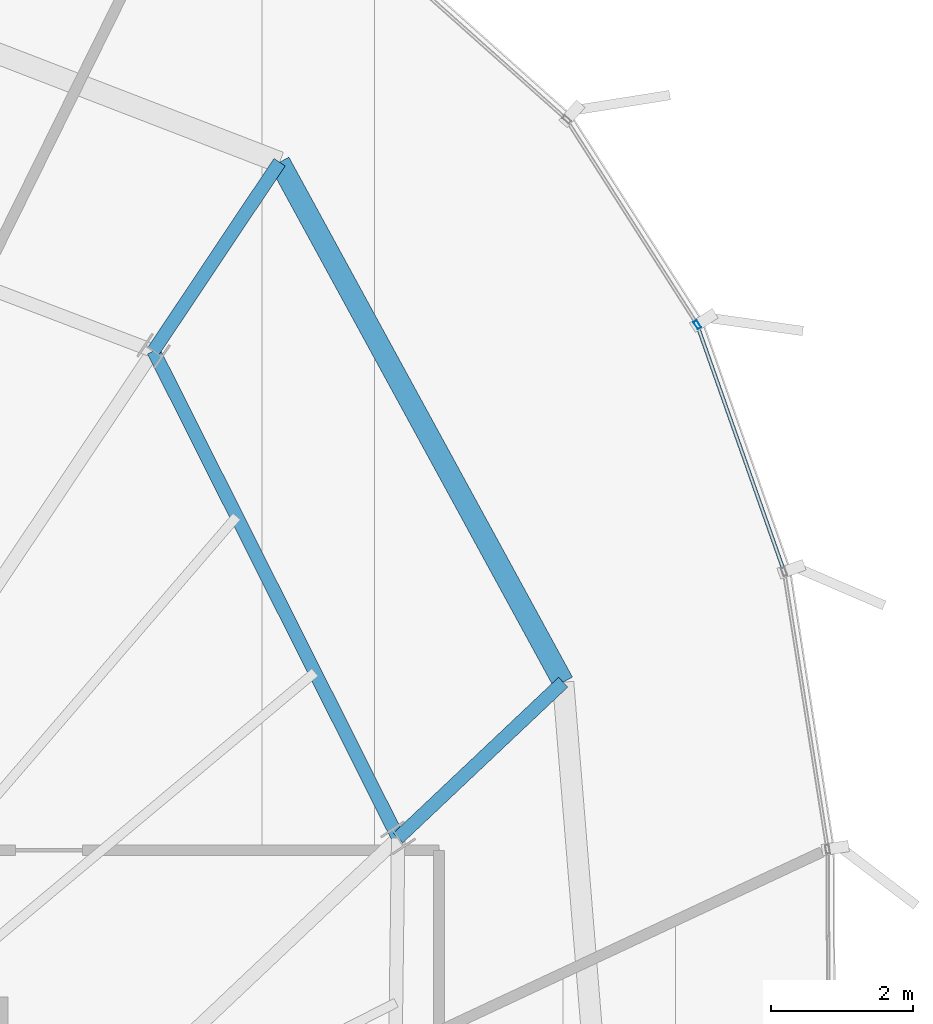
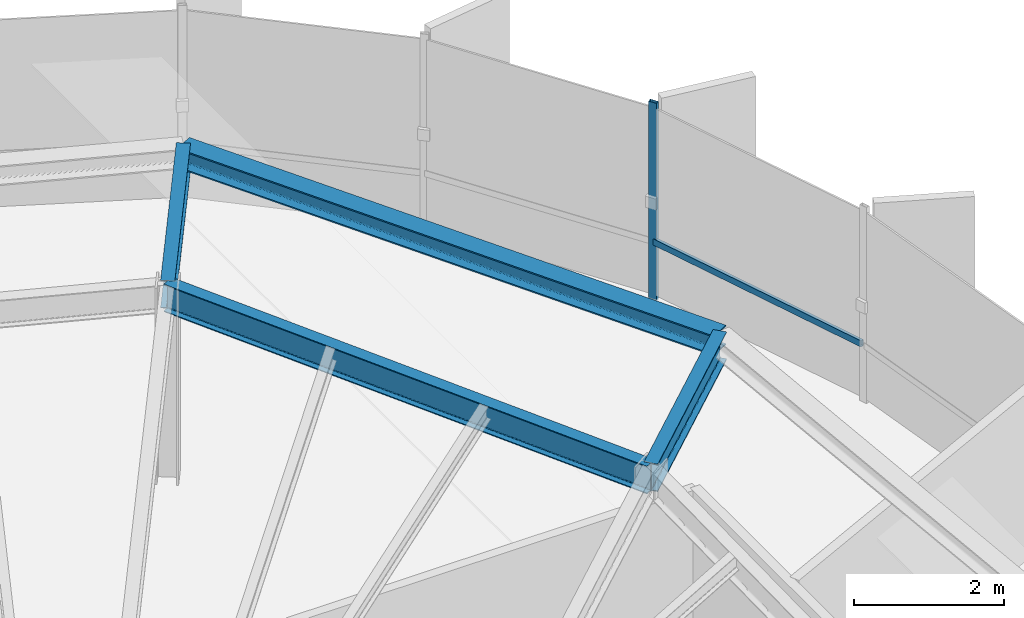
# One storey, part 23 of 34: 4 beams, 2 members, 1 element without a shape of its own.
"""IFC4 building model written with IfcOpenShell, lengths in metres."""

from ifc_helpers import new_model, si_unit, direction, frame, origin, origin_2d, place, context, subcontext, project, spatial, hollow_rectangle, i_section, extrude, source, transform, mapped, material, layer, layer_set, material_profile, profile_set, type_object, element, aggregate, save


model = new_model("IFC4")

# Units and contexts
model_context = context("Model", 3, precision=1e-05, world=origin(), true_north=direction((0.0, 1.0)))
body_context = subcontext(model_context, "Body", "Model", "MODEL_VIEW")
ifc_project = project(units=[si_unit("LENGTHUNIT", "METRE"), si_unit("AREAUNIT", "SQUARE_METRE"), si_unit("VOLUMEUNIT", "CUBIC_METRE"), si_unit("PLANEANGLEUNIT", "RADIAN"), si_unit("MASSUNIT", "GRAM", prefix="KILO"), si_unit("THERMODYNAMICTEMPERATUREUNIT", "KELVIN")], contexts=[model_context])

# Site, building, storey
site_placement = place(None, origin())
site = spatial("IfcSite", under=ifc_project, at=site_placement, CompositionType="ELEMENT")
building_placement = place(site_placement, origin())
building = spatial("IfcBuilding", under=site, at=building_placement, Name="Kethvar Cultural Tower", CompositionType="ELEMENT")
storey_placement = place(building_placement, frame((0.0, 0.0, 262.89990234375)))
storey = spatial("IfcBuildingStorey", under=building, at=storey_placement, Name="L69", CompositionType="ELEMENT", Elevation=262.89990234375)

# Beams
ifc_material_1 = material(Name="Steel S355J2", Category="steel")
ifc_material_profile_1 = material_profile(ifc_material_1, i_section(OverallWidth=0.18994140625, OverallDepth=0.449951171875, WebThickness=0.009521484375, FlangeThickness=0.0146484375, FilletRadius=0.02099609375, at=origin_2d()), Name="Steel S355J2 — IPE450")
ifc_profile_set_1 = profile_set([ifc_material_profile_1], Name="Steel S355J2 — IPE450")
beam_type_1 = type_object("IfcBeamType", Name="BM-IPE450", PredefinedType="BEAM", material=ifc_profile_set_1)
shared_shape_1 = source(origin(), body_context, "Body", "SweptSolid", [
    extrude(i_section(OverallWidth=0.18994140625, OverallDepth=0.449951171875, WebThickness=0.009521484375, FlangeThickness=0.0146484375, FilletRadius=0.02099609375, at=origin_2d()), origin(), (0.0, 0.0, 1.0), 3.199951171875),
])
beam_1_placement = place(storey_placement, frame((61.32568359375, 37.505859375, 2.983154296875), z_axis=(0.727146433404, 0.686482384616, 0.0), x_axis=(-0.686482384616, 0.727146433404, 0.0)))
element("IfcBeam", 1, at=beam_1_placement, inside=storey, type_object=beam_type_1, Name="L69 Perimeter Cantilever Beam RC-02", PredefinedType="BEAM", context=body_context, shape_type="MappedRepresentation", body=[
    mapped(shared_shape_1, transform((0.0, 0.0, 0.0), scale=1.0)),
])
shared_shape_2 = source(origin(), body_context, "Body", "SweptSolid", [
    extrude(i_section(OverallWidth=0.18994140625, OverallDepth=0.449951171875, WebThickness=0.009521484375, FlangeThickness=0.0146484375, FilletRadius=0.02099609375, at=origin_2d()), origin(), (0.0, 0.0, 1.0), 3.2001953125),
])
beam_2_placement = place(storey_placement, frame((57.875244140625, 44.375, 2.983154296875), z_axis=(0.555544970406, 0.831486491686, 0.0), x_axis=(-0.831486491686, 0.555544970406, 0.0)))
element("IfcBeam", 2, at=beam_2_placement, inside=storey, type_object=beam_type_1, Name="L69 Perimeter Cantilever Beam RC-03", PredefinedType="BEAM", context=body_context, shape_type="MappedRepresentation", body=[
    mapped(shared_shape_2, transform((0.0, 0.0, 0.0), scale=1.0)),
])
shared_shape_3 = source(origin(), body_context, "Body", "SweptSolid", [
    extrude(i_section(OverallWidth=0.18994140625, OverallDepth=0.449951171875, WebThickness=0.009521484375, FlangeThickness=0.0146484375, FilletRadius=0.02099609375, at=origin_2d()), origin(), (0.0, 0.0, 1.0), 7.68701171875),
])
beam_3_placement = place(storey_placement, frame((61.32568359375, 37.505859375, 2.983154296875), z_axis=(-0.448864354142, 0.893599905763, 0.0), x_axis=(-0.893599905763, -0.448864354142, 0.0)))
element("IfcBeam", 3, at=beam_3_placement, inside=storey, type_object=beam_type_1, Name="L69 Column Ring Tie Beam CR-02", PredefinedType="BEAM", context=body_context, shape_type="MappedRepresentation", body=[
    mapped(shared_shape_3, transform((0.0, 0.0, 0.0), scale=1.0)),
])
ifc_material_profile_2 = material_profile(ifc_material_1, i_section(OverallWidth=0.300048828125, OverallDepth=0.320068359375, WebThickness=0.011474609375, FlangeThickness=0.0205078125, FilletRadius=0.027099609375, at=origin_2d()), Name="Steel S355J2 — HEB320")
ifc_profile_set_2 = profile_set([ifc_material_profile_2], Name="Steel S355J2 — HEB320")
beam_type_2 = type_object("IfcBeamType", Name="BM-SP320", PredefinedType="SPANDREL", material=ifc_profile_set_2)
shared_shape_4 = source(origin(), body_context, "Body", "SweptSolid", [
    extrude(i_section(OverallWidth=0.300048828125, OverallDepth=0.320068359375, WebThickness=0.011474609375, FlangeThickness=0.0205078125, FilletRadius=0.027099609375, at=origin_2d()), origin(), (0.0, 0.0, 1.0), 8.35302734375),
])
beam_4_placement = place(storey_placement, frame((63.652587890625, 39.70263671875, 3.048095703125), z_axis=(-0.478811173891, 0.877917911742, 0.0), x_axis=(-0.877917911742, -0.478811173891, 0.0)))
element("IfcBeam", 4, at=beam_4_placement, inside=storey, type_object=beam_type_2, Name="L69 Perimeter Spandrel Beam SP-02", PredefinedType="SPANDREL", context=body_context, shape_type="MappedRepresentation", body=[
    mapped(shared_shape_4, transform((0.0, 0.0, 0.0), scale=1.0)),
])

# Curtain wall, members
ifc_material_2 = material(Name="Aluminium 6063-T6", Category="aluminium")
ifc_layer = layer(ifc_material_2, 0.179931640625, Name="Aluminium 6063-T6", Category="aluminium")
ifc_layer_set = layer_set([ifc_layer], Name="Aluminium 6063-T6 (180 mm)")
curtain_wall_type = type_object("IfcCurtainWallType", Name="CW-SYS-05-Z56", PredefinedType="NOTDEFINED", material=ifc_layer_set)
curtain_wall_placement = place(storey_placement, origin())
curtain_wall = element("IfcCurtainWall", 5, at=curtain_wall_placement, inside=storey, type_object=curtain_wall_type, Name="L69 Curtain Wall Run 06", PredefinedType="NOTDEFINED")
ifc_material_profile_3 = material_profile(ifc_material_2, hollow_rectangle(XDim=0.054931640625, YDim=0.1201171875, WallThickness=0.00390625, at=origin_2d()), Name="Aluminium 6063-T6 — RHS120x55x4")
ifc_profile_set_3 = profile_set([ifc_material_profile_3], Name="Aluminium 6063-T6 — RHS120x55x4")
member_type_1 = type_object("IfcMemberType", Name="CW-SYS-05-Z56-MUL", PredefinedType="MULLION", material=ifc_profile_set_3)
shared_shape_5 = source(origin(), body_context, "Body", "SweptSolid", [
    extrude(hollow_rectangle(XDim=0.054931640625, YDim=0.1201171875, WallThickness=0.00390625, at=origin_2d()), origin(), (0.0, 0.0, 1.0), 3.210205078125),
])
member_1_placement = place(storey_placement, frame((65.544189453125, 44.7451171875, 0.0), z_axis=(0.0, 0.0, 1.0), x_axis=(-0.842950412683, -0.537991265503, 0.0)))
member_1 = element("IfcMember", 6, at=member_1_placement, type_object=member_type_1, Name="CW-L69-R06 Mullion 5", PredefinedType="MULLION", context=body_context, shape_type="MappedRepresentation", body=[
    mapped(shared_shape_5, transform((0.0, 0.0, 0.0), scale=1.0)),
])
ifc_material_profile_4 = material_profile(ifc_material_2, hollow_rectangle(XDim=0.050048828125, YDim=0.10009765625, WallThickness=0.00390625, at=origin_2d()), Name="Aluminium 6063-T6 — RHS100x50x4")
ifc_profile_set_4 = profile_set([ifc_material_profile_4], Name="Aluminium 6063-T6 — RHS100x50x4")
member_type_2 = type_object("IfcMemberType", Name="CW-SYS-05-Z56-TRN", PredefinedType="USERDEFINED", material=ifc_profile_set_4)
shared_shape_6 = source(origin(), body_context, "Body", "SweptSolid", [
    extrude(hollow_rectangle(XDim=0.050048828125, YDim=0.10009765625, WallThickness=0.00390625, at=origin_2d()), origin(), (0.0, 0.0, 1.0), 3.63818359375),
])
member_2_placement = place(storey_placement, frame((66.757080078125, 41.297119140625, 0.9501953125), z_axis=(-0.332507697611, 0.943100541316, 0.0), x_axis=(-0.943100541316, -0.332507697611, 0.0)))
member_2 = element("IfcMember", 7, at=member_2_placement, type_object=member_type_2, Name="CW-L69-R06 Transom 4", ObjectType="TRANSOM", PredefinedType="USERDEFINED", context=body_context, shape_type="MappedRepresentation", body=[
    mapped(shared_shape_6, transform((0.0, 0.0, 0.0), scale=1.0)),
])
aggregate(curtain_wall, [member_1, member_2])

save(model, "model.ifc")
